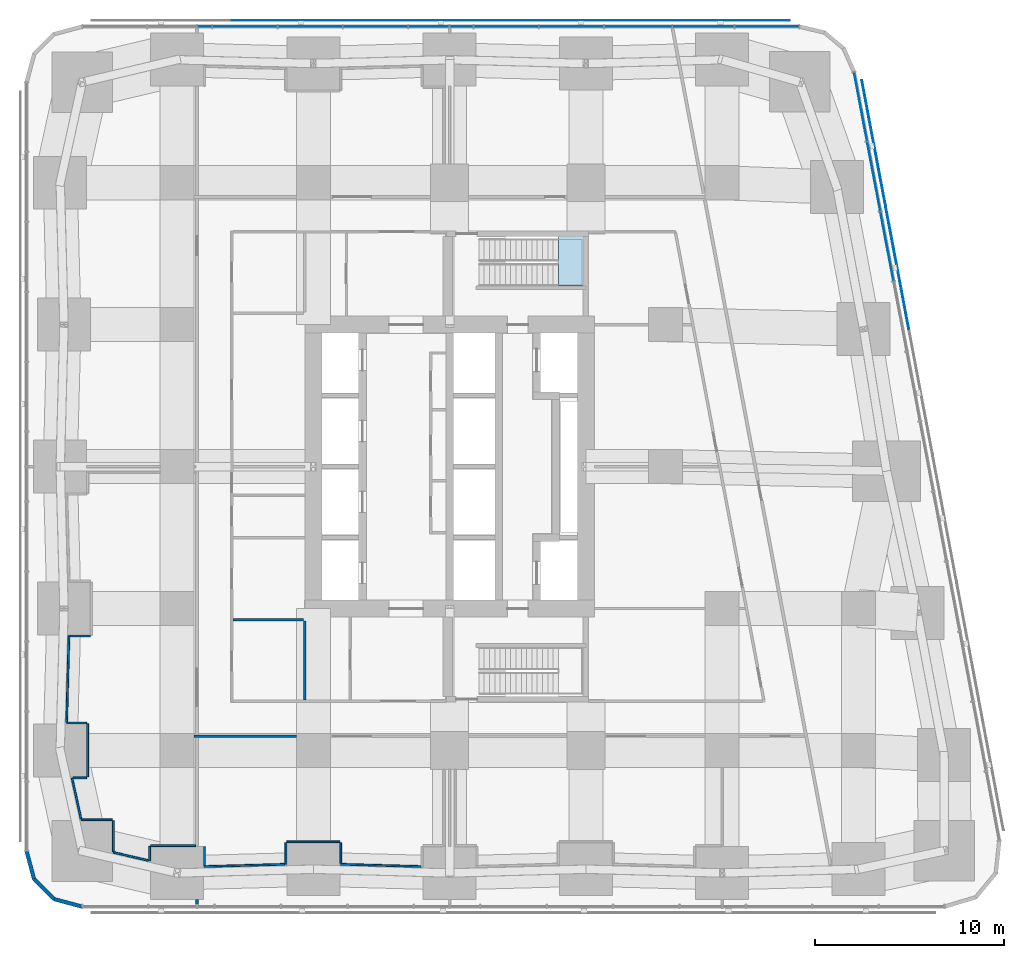
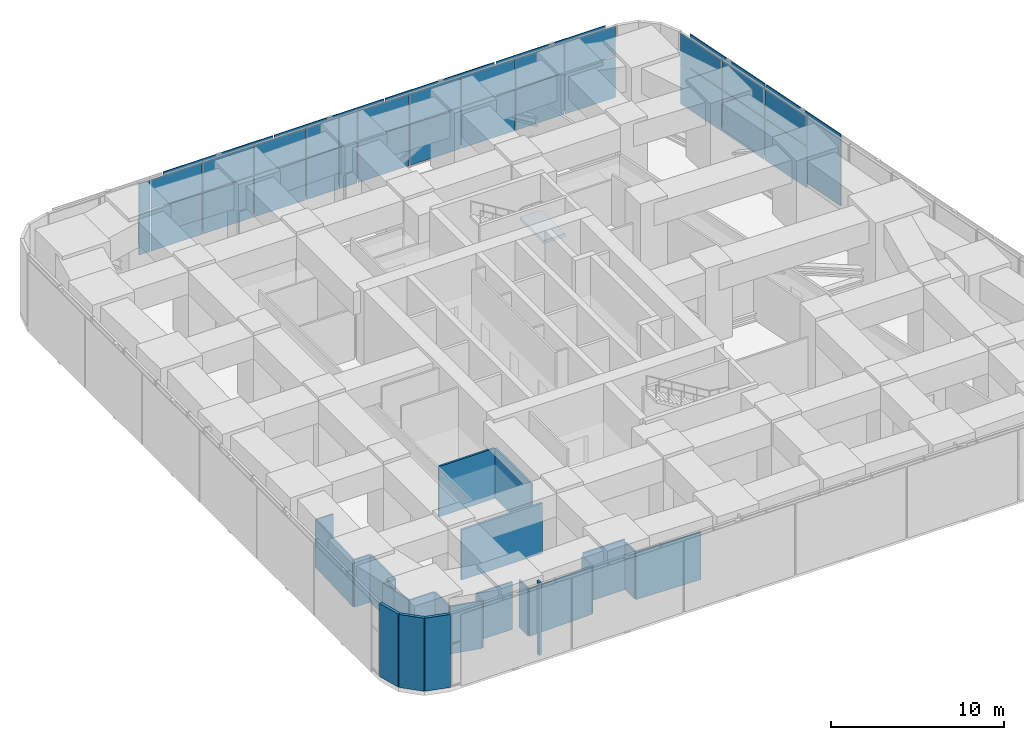
# One storey, part 12 of 20: 34 plates, 24 walls, 1 slab, 3 elements without a shape of their own.
"""IFC4 building model written with IfcOpenShell, lengths in metres."""

from ifc_helpers import new_model, si_unit, direction, frame, frame_2d, origin, origin_2d, place, context, subcontext, project, spatial, polyline, rectangle, outline, extrude, material, layer, layer_set, type_object, element, aggregate, save


model = new_model("IFC4")

# Units and contexts
model_context = context("Model", 3, precision=1e-05, world=origin(), true_north=direction((0.0, 1.0)))
body_context = subcontext(model_context, "Body", "Model", "MODEL_VIEW")
ifc_project = project(units=[si_unit("LENGTHUNIT", "METRE"), si_unit("AREAUNIT", "SQUARE_METRE"), si_unit("VOLUMEUNIT", "CUBIC_METRE"), si_unit("PLANEANGLEUNIT", "RADIAN"), si_unit("MASSUNIT", "GRAM", prefix="KILO")], contexts=[model_context])

# Site, building, storey
site_placement = place(None, origin())
site = spatial("IfcSite", under=ifc_project, at=site_placement, CompositionType="ELEMENT")
building_placement = place(site_placement, origin())
building = spatial("IfcBuilding", under=site, at=building_placement, Name="Sheger Commons Tower", CompositionType="ELEMENT")
storey_placement = place(building_placement, frame((0.0, 0.0, 72.5)))
storey = spatial("IfcBuildingStorey", under=building, at=storey_placement, Name="L18", CompositionType="ELEMENT", Elevation=72.5)

# Curtain wall, plates
ifc_material_1 = material(Name="Black aluminium curtain wall, dark tinted glazing", Category="aluminium")
curtain_wall_type = type_object("IfcCurtainWallType", Name="CURTAIN WALL CW3 SKY FLOOR", PredefinedType="USERDEFINED", material=ifc_material_1)
curtain_wall_1_placement = place(storey_placement, origin())
curtain_wall_1 = element("IfcCurtainWall", 1, at=curtain_wall_1_placement, inside=storey, type_object=curtain_wall_type, Name="Curtain Wall Cw3 Sky Floor E1 L18", ObjectType="UNITISED CURTAIN WALL", PredefinedType="USERDEFINED")
ifc_material_2 = material(Name="Dark tinted double glazing", Category="glass")
ifc_layer_1 = layer(ifc_material_2, 0.031982421875)
ifc_layer_set_1 = layer_set([ifc_layer_1], Name="GLAZED PANEL 32")
plate_type_1 = type_object("IfcPlateType", Name="GLAZED PANEL 32", PredefinedType="CURTAIN_PANEL", material=ifc_layer_set_1)
plate_1_placement = place(storey_placement, frame((44.716064453125, 34.1328125, 0.06494140625), z_axis=(0.0, 0.0, 1.0), x_axis=(-0.185609884918, 0.982623514181, 0.0)))
plate_1 = element("IfcPlate", 2, at=plate_1_placement, type_object=plate_type_1, Name="CW3 panel 9.1", PredefinedType="CURTAIN_PANEL", context=body_context, shape_type="SweptSolid", body=[
    extrude(rectangle(XDim=3.697998046875, YDim=0.031982421875, at=origin_2d()), origin(), (0.0, 0.0, 1.0), 2.902587890625),
])
plate_2_placement = place(storey_placement, frame((44.716064453125, 34.1328125, 3.03271484375), z_axis=(0.0, 0.0, 1.0), x_axis=(-0.185609884918, 0.982623514181, 0.0)))
plate_2 = element("IfcPlate", 3, at=plate_2_placement, type_object=plate_type_1, Name="CW3 panel 9.2", PredefinedType="CURTAIN_PANEL", context=body_context, shape_type="SweptSolid", body=[
    extrude(rectangle(XDim=3.697998046875, YDim=0.031982421875, at=origin_2d()), origin(), (0.0, 0.0, 1.0), 2.052490234375),
])
plate_3_placement = place(storey_placement, frame((44.017578125, 37.83056640625, 0.06494140625), z_axis=(0.0, 0.0, 1.0), x_axis=(-0.185609884918, 0.982623514181, 0.0)))
plate_3 = element("IfcPlate", 4, at=plate_3_placement, type_object=plate_type_1, Name="CW3 panel 10.1", PredefinedType="CURTAIN_PANEL", context=body_context, shape_type="SweptSolid", body=[
    extrude(rectangle(XDim=3.697998046875, YDim=0.031982421875, at=origin_2d()), origin(), (0.0, 0.0, 1.0), 2.902587890625),
])
plate_4_placement = place(storey_placement, frame((44.017578125, 37.83056640625, 3.03271484375), z_axis=(0.0, 0.0, 1.0), x_axis=(-0.185609884918, 0.982623514181, 0.0)))
plate_4 = element("IfcPlate", 5, at=plate_4_placement, type_object=plate_type_1, Name="CW3 panel 10.2", PredefinedType="CURTAIN_PANEL", context=body_context, shape_type="SweptSolid", body=[
    extrude(rectangle(XDim=3.697998046875, YDim=0.031982421875, at=origin_2d()), origin(), (0.0, 0.0, 1.0), 2.052490234375),
])
plate_5_placement = place(storey_placement, frame((43.322265625, 41.51220703125, 0.06494140625), z_axis=(0.0, 0.0, 1.0), x_axis=(-0.185609884918, 0.982623514181, 0.0)))
plate_5 = element("IfcPlate", 6, at=plate_5_placement, type_object=plate_type_1, Name="CW3 panel 11.1", PredefinedType="CURTAIN_PANEL", context=body_context, shape_type="SweptSolid", body=[
    extrude(rectangle(XDim=3.66552734375, YDim=0.031982421875, at=origin_2d()), origin(), (0.0, 0.0, 1.0), 2.902587890625),
])
plate_6_placement = place(storey_placement, frame((43.322265625, 41.51220703125, 3.03271484375), z_axis=(0.0, 0.0, 1.0), x_axis=(-0.185609884918, 0.982623514181, 0.0)))
plate_6 = element("IfcPlate", 7, at=plate_6_placement, type_object=plate_type_1, Name="CW3 panel 11.2", PredefinedType="CURTAIN_PANEL", context=body_context, shape_type="SweptSolid", body=[
    extrude(rectangle(XDim=3.66552734375, YDim=0.031982421875, at=origin_2d()), origin(), (0.0, 0.0, 1.0), 2.052490234375),
])
aggregate(curtain_wall_1, [plate_1, plate_2, plate_3, plate_4, plate_5, plate_6])

curtain_wall_2_placement = place(storey_placement, origin())
curtain_wall_2 = element("IfcCurtainWall", 8, at=curtain_wall_2_placement, inside=storey, type_object=curtain_wall_type, Name="Curtain Wall Cw3 Sky Floor N1 L18", ObjectType="UNITISED CURTAIN WALL", PredefinedType="USERDEFINED")
plate_7_placement = place(storey_placement, frame((38.365234375, 45.75, 0.06494140625), z_axis=(0.0, 0.0, 1.0), x_axis=(-1.0, 0.0, 0.0)))
plate_7 = element("IfcPlate", 9, at=plate_7_placement, type_object=plate_type_1, Name="CW3 panel 1.1", PredefinedType="CURTAIN_PANEL", context=body_context, shape_type="SweptSolid", body=[
    extrude(rectangle(XDim=3.3515625, YDim=0.031982421875, at=origin_2d()), origin(), (0.0, 0.0, 1.0), 2.902587890625),
])
plate_8_placement = place(storey_placement, frame((38.365234375, 45.75, 3.03271484375), z_axis=(0.0, 0.0, 1.0), x_axis=(-1.0, 0.0, 0.0)))
plate_8 = element("IfcPlate", 10, at=plate_8_placement, type_object=plate_type_1, Name="CW3 panel 1.2", PredefinedType="CURTAIN_PANEL", context=body_context, shape_type="SweptSolid", body=[
    extrude(rectangle(XDim=3.3515625, YDim=0.031982421875, at=origin_2d()), origin(), (0.0, 0.0, 1.0), 2.052490234375),
])
plate_9_placement = place(storey_placement, frame((35.010009765625, 45.75, 0.06494140625), z_axis=(0.0, 0.0, 1.0), x_axis=(-1.0, 0.0, 0.0)))
plate_9 = element("IfcPlate", 11, at=plate_9_placement, type_object=plate_type_1, Name="CW3 panel 2.1", PredefinedType="CURTAIN_PANEL", context=body_context, shape_type="SweptSolid", body=[
    extrude(rectangle(XDim=3.22900390625, YDim=0.031982421875, at=origin_2d()), origin(), (0.0, 0.0, 1.0), 2.902587890625),
])
plate_10_placement = place(storey_placement, frame((35.010009765625, 45.75, 3.03271484375), z_axis=(0.0, 0.0, 1.0), x_axis=(-1.0, 0.0, 0.0)))
plate_10 = element("IfcPlate", 12, at=plate_10_placement, type_object=plate_type_1, Name="CW3 panel 2.2", PredefinedType="CURTAIN_PANEL", context=body_context, shape_type="SweptSolid", body=[
    extrude(rectangle(XDim=3.22900390625, YDim=0.031982421875, at=origin_2d()), origin(), (0.0, 0.0, 1.0), 2.052490234375),
])
plate_11_placement = place(storey_placement, frame((31.560546875, 45.75, 0.06494140625), z_axis=(0.0, 0.0, 1.0), x_axis=(-1.0, 0.0, 0.0)))
plate_11 = element("IfcPlate", 13, at=plate_11_placement, type_object=plate_type_1, Name="CW3 panel 3.1", PredefinedType="CURTAIN_PANEL", context=body_context, shape_type="SweptSolid", body=[
    extrude(rectangle(XDim=3.5400390625, YDim=0.031982421875, at=origin_2d()), origin(), (0.0, 0.0, 1.0), 2.902587890625),
])
plate_12_placement = place(storey_placement, frame((31.560546875, 45.75, 3.03271484375), z_axis=(0.0, 0.0, 1.0), x_axis=(-1.0, 0.0, 0.0)))
plate_12 = element("IfcPlate", 14, at=plate_12_placement, type_object=plate_type_1, Name="CW3 panel 3.2", PredefinedType="CURTAIN_PANEL", context=body_context, shape_type="SweptSolid", body=[
    extrude(rectangle(XDim=3.5400390625, YDim=0.031982421875, at=origin_2d()), origin(), (0.0, 0.0, 1.0), 2.052490234375),
])
plate_13_placement = place(storey_placement, frame((28.033447265625, 45.75, 0.06494140625), z_axis=(0.0, 0.0, 1.0), x_axis=(-1.0, 0.0, 0.0)))
plate_13 = element("IfcPlate", 15, at=plate_13_placement, type_object=plate_type_1, Name="CW3 panel 4.1", PredefinedType="CURTAIN_PANEL", context=body_context, shape_type="SweptSolid", body=[
    extrude(rectangle(XDim=3.384033203125, YDim=0.031982421875, at=origin_2d()), origin(), (0.0, 0.0, 1.0), 2.902587890625),
])
plate_14_placement = place(storey_placement, frame((28.033447265625, 45.75, 3.03271484375), z_axis=(0.0, 0.0, 1.0), x_axis=(-1.0, 0.0, 0.0)))
plate_14 = element("IfcPlate", 16, at=plate_14_placement, type_object=plate_type_1, Name="CW3 panel 4.2", PredefinedType="CURTAIN_PANEL", context=body_context, shape_type="SweptSolid", body=[
    extrude(rectangle(XDim=3.384033203125, YDim=0.031982421875, at=origin_2d()), origin(), (0.0, 0.0, 1.0), 2.052490234375),
])
plate_15_placement = place(storey_placement, frame((24.583984375, 45.75, 0.06494140625), z_axis=(0.0, 0.0, 1.0), x_axis=(-1.0, 0.0, 0.0)))
plate_15 = element("IfcPlate", 17, at=plate_15_placement, type_object=plate_type_1, Name="CW3 panel 5.1", PredefinedType="CURTAIN_PANEL", context=body_context, shape_type="SweptSolid", body=[
    extrude(rectangle(XDim=3.385009765625, YDim=0.031982421875, at=origin_2d()), origin(), (0.0, 0.0, 1.0), 2.902587890625),
])
plate_16_placement = place(storey_placement, frame((24.583984375, 45.75, 3.03271484375), z_axis=(0.0, 0.0, 1.0), x_axis=(-1.0, 0.0, 0.0)))
plate_16 = element("IfcPlate", 18, at=plate_16_placement, type_object=plate_type_1, Name="CW3 panel 5.2", PredefinedType="CURTAIN_PANEL", context=body_context, shape_type="SweptSolid", body=[
    extrude(rectangle(XDim=3.385009765625, YDim=0.031982421875, at=origin_2d()), origin(), (0.0, 0.0, 1.0), 2.052490234375),
])
plate_17_placement = place(storey_placement, frame((22.2294921875, 45.75, 0.06494140625), z_axis=(0.0, 0.0, 1.0), x_axis=(-1.0, 0.0, 0.0)))
plate_17 = element("IfcPlate", 19, at=plate_17_placement, type_object=plate_type_1, Name="CW3 panel 6.1", PredefinedType="CURTAIN_PANEL", context=body_context, shape_type="SweptSolid", body=[
    extrude(rectangle(XDim=1.194091796875, YDim=0.031982421875, at=origin_2d()), origin(), (0.0, 0.0, 1.0), 2.902587890625),
])
plate_18_placement = place(storey_placement, frame((22.2294921875, 45.75, 3.03271484375), z_axis=(0.0, 0.0, 1.0), x_axis=(-1.0, 0.0, 0.0)))
plate_18 = element("IfcPlate", 20, at=plate_18_placement, type_object=plate_type_1, Name="CW3 panel 6.2", PredefinedType="CURTAIN_PANEL", context=body_context, shape_type="SweptSolid", body=[
    extrude(rectangle(XDim=1.194091796875, YDim=0.031982421875, at=origin_2d()), origin(), (0.0, 0.0, 1.0), 2.052490234375),
])
plate_19_placement = place(storey_placement, frame((20.5048828125, 45.75, 0.06494140625), z_axis=(0.0, 0.0, 1.0), x_axis=(-1.0, 0.0, 0.0)))
plate_19 = element("IfcPlate", 21, at=plate_19_placement, type_object=plate_type_1, Name="CW3 panel 7.1", PredefinedType="CURTAIN_PANEL", context=body_context, shape_type="SweptSolid", body=[
    extrude(rectangle(XDim=2.125, YDim=0.031982421875, at=origin_2d()), origin(), (0.0, 0.0, 1.0), 2.902587890625),
])
plate_20_placement = place(storey_placement, frame((20.5048828125, 45.75, 3.03271484375), z_axis=(0.0, 0.0, 1.0), x_axis=(-1.0, 0.0, 0.0)))
plate_20 = element("IfcPlate", 22, at=plate_20_placement, type_object=plate_type_1, Name="CW3 panel 7.2", PredefinedType="CURTAIN_PANEL", context=body_context, shape_type="SweptSolid", body=[
    extrude(rectangle(XDim=2.125, YDim=0.031982421875, at=origin_2d()), origin(), (0.0, 0.0, 1.0), 2.052490234375),
])
plate_21_placement = place(storey_placement, frame((17.68505859375, 45.75, 0.06494140625), z_axis=(0.0, 0.0, 1.0), x_axis=(-1.0, 0.0, 0.0)))
plate_21 = element("IfcPlate", 23, at=plate_21_placement, type_object=plate_type_1, Name="CW3 panel 8.1", PredefinedType="CURTAIN_PANEL", context=body_context, shape_type="SweptSolid", body=[
    extrude(rectangle(XDim=3.385009765625, YDim=0.031982421875, at=origin_2d()), origin(), (0.0, 0.0, 1.0), 2.902587890625),
])
plate_22_placement = place(storey_placement, frame((17.68505859375, 45.75, 3.03271484375), z_axis=(0.0, 0.0, 1.0), x_axis=(-1.0, 0.0, 0.0)))
plate_22 = element("IfcPlate", 24, at=plate_22_placement, type_object=plate_type_1, Name="CW3 panel 8.2", PredefinedType="CURTAIN_PANEL", context=body_context, shape_type="SweptSolid", body=[
    extrude(rectangle(XDim=3.385009765625, YDim=0.031982421875, at=origin_2d()), origin(), (0.0, 0.0, 1.0), 2.052490234375),
])
plate_23_placement = place(storey_placement, frame((14.235595703125, 45.75, 0.06494140625), z_axis=(0.0, 0.0, 1.0), x_axis=(-1.0, 0.0, 0.0)))
plate_23 = element("IfcPlate", 25, at=plate_23_placement, type_object=plate_type_1, Name="CW3 panel 9.1", PredefinedType="CURTAIN_PANEL", context=body_context, shape_type="SweptSolid", body=[
    extrude(rectangle(XDim=3.384033203125, YDim=0.031982421875, at=origin_2d()), origin(), (0.0, 0.0, 1.0), 2.902587890625),
])
plate_24_placement = place(storey_placement, frame((14.235595703125, 45.75, 3.03271484375), z_axis=(0.0, 0.0, 1.0), x_axis=(-1.0, 0.0, 0.0)))
plate_24 = element("IfcPlate", 26, at=plate_24_placement, type_object=plate_type_1, Name="CW3 panel 9.2", PredefinedType="CURTAIN_PANEL", context=body_context, shape_type="SweptSolid", body=[
    extrude(rectangle(XDim=3.384033203125, YDim=0.031982421875, at=origin_2d()), origin(), (0.0, 0.0, 1.0), 2.052490234375),
])
plate_25_placement = place(storey_placement, frame((10.78662109375, 45.75, 0.06494140625), z_axis=(0.0, 0.0, 1.0), x_axis=(-1.0, 0.0, 0.0)))
plate_25 = element("IfcPlate", 27, at=plate_25_placement, type_object=plate_type_1, Name="CW3 panel 10.1", PredefinedType="CURTAIN_PANEL", context=body_context, shape_type="SweptSolid", body=[
    extrude(rectangle(XDim=3.384033203125, YDim=0.031982421875, at=origin_2d()), origin(), (0.0, 0.0, 1.0), 2.902587890625),
])
plate_26_placement = place(storey_placement, frame((10.78662109375, 45.75, 3.03271484375), z_axis=(0.0, 0.0, 1.0), x_axis=(-1.0, 0.0, 0.0)))
plate_26 = element("IfcPlate", 28, at=plate_26_placement, type_object=plate_type_1, Name="CW3 panel 10.2", PredefinedType="CURTAIN_PANEL", context=body_context, shape_type="SweptSolid", body=[
    extrude(rectangle(XDim=3.384033203125, YDim=0.031982421875, at=origin_2d()), origin(), (0.0, 0.0, 1.0), 2.052490234375),
])
plate_27_placement = place(storey_placement, frame((8.656005859375, 45.75, 0.06494140625), z_axis=(0.0, 0.0, 1.0), x_axis=(-1.0, 0.0, 0.0)))
plate_27 = element("IfcPlate", 29, at=plate_27_placement, type_object=plate_type_1, Name="CW3 panel 11.1", PredefinedType="CURTAIN_PANEL", context=body_context, shape_type="SweptSolid", body=[
    extrude(rectangle(XDim=0.7470703125, YDim=0.031982421875, at=origin_2d()), origin(), (0.0, 0.0, 1.0), 2.902587890625),
])
plate_28_placement = place(storey_placement, frame((8.656005859375, 45.75, 3.03271484375), z_axis=(0.0, 0.0, 1.0), x_axis=(-1.0, 0.0, 0.0)))
plate_28 = element("IfcPlate", 30, at=plate_28_placement, type_object=plate_type_1, Name="CW3 panel 11.2", PredefinedType="CURTAIN_PANEL", context=body_context, shape_type="SweptSolid", body=[
    extrude(rectangle(XDim=0.7470703125, YDim=0.031982421875, at=origin_2d()), origin(), (0.0, 0.0, 1.0), 2.052490234375),
])
aggregate(curtain_wall_2, [plate_7, plate_8, plate_9, plate_10, plate_11, plate_12, plate_13, plate_14, plate_15, plate_16, plate_17, plate_18, plate_19, plate_20, plate_21, plate_22, plate_23, plate_24, plate_25, plate_26, plate_27, plate_28])

# Plates
ifc_material_3 = material(Name="Perforated black anodised aluminium screen", Category="aluminium")
ifc_layer_2 = layer(ifc_material_3, 0.050048828125)
ifc_layer_set_2 = layer_set([ifc_layer_2], Name="SOLAR SCREEN SCREEN-1")
plate_type_2 = type_object("IfcPlateType", Name="SOLAR SCREEN SCREEN-1", PredefinedType="USERDEFINED", material=ifc_layer_set_2)
for number, where, z_axis, x_axis, name in (
    (31, (45.2548828125, 33.028076171875, 0.0498046875), (0.0, 0.0, 1.0), (-0.185615165645, 0.982622516678, 0.0), "Perforated solar screen panel"),
    (32, (44.0048828125, 39.64794921875, 0.0498046875), (0.0, 0.0, 1.0), (-0.185615165645, 0.982622516678, 0.0), "Perforated solar screen panel"),
):
    element("IfcPlate", number, at=place(storey_placement, frame(where, z_axis=z_axis, x_axis=x_axis)), inside=storey, type_object=plate_type_2, Name=name, ObjectType="SCREEN", PredefinedType="USERDEFINED", context=body_context, shape_type="SweptSolid", body=[
        extrude(rectangle(XDim=6.636962890625, YDim=0.050048828125, at=origin_2d()), origin(), (0.0, 0.0, 1.0), 5.050048828125),
    ])
for number, where, z_axis, x_axis, name in (
    (33, (35.9208984375, 46.074951171875, 0.0498046875), (0.0, 0.0, 1.0), (-1.0, 0.0, 0.0), "Perforated solar screen panel"),
    (34, (28.528076171875, 46.074951171875, 0.0498046875), (0.0, 0.0, 1.0), (-1.0, 0.0, 0.0), "Perforated solar screen panel"),
    (35, (21.134033203125, 46.074951171875, 0.0498046875), (0.0, 0.0, 1.0), (-1.0, 0.0, 0.0), "Perforated solar screen panel"),
    (36, (13.739990234375, 46.074951171875, 0.0498046875), (0.0, 0.0, 1.0), (-1.0, 0.0, 0.0), "Perforated solar screen panel"),
):
    element("IfcPlate", number, at=place(storey_placement, frame(where, z_axis=z_axis, x_axis=x_axis)), inside=storey, type_object=plate_type_2, Name=name, ObjectType="SCREEN", PredefinedType="USERDEFINED", context=body_context, shape_type="SweptSolid", body=[
        extrude(rectangle(XDim=7.2939453125, YDim=0.050048828125, at=origin_2d()), origin(), (0.0, 0.0, 1.0), 5.050048828125),
    ])

# Stair, slab
ifc_material_4 = material(Name="Concrete C35/45", Category="concrete")
stair_type = type_object("IfcStairType", Name="HALF-TURN STAIR 1200 RISE 5400", PredefinedType="HALF_TURN_STAIR", material=ifc_material_4)
stair_placement = place(storey_placement, origin())
stair = element("IfcStair", 37, at=stair_placement, inside=storey, type_object=stair_type, Name="Stair S2 L18", PredefinedType="HALF_TURN_STAIR")
ifc_material_5 = material(Name="Concrete C35/45", Category="concrete")
ifc_layer_3 = layer(ifc_material_5, 0.199951171875)
ifc_layer_set_3 = layer_set([ifc_layer_3], Name="STAIR LANDING 200")
slab_type = type_object("IfcSlabType", Name="STAIR LANDING 200", PredefinedType="LANDING", material=ifc_layer_set_3)
slab_placement = place(storey_placement, frame((0.0, 0.0, 2.5)))
slab = element("IfcSlab", 38, at=slab_placement, type_object=slab_type, Name="S2 landing 1", PredefinedType="LANDING", context=body_context, shape_type="SweptSolid", body=[
    extrude(outline(polyline([(27.35009765625, 32.050048828125), (28.800048828125, 32.050048828125), (28.800048828125, 34.800048828125), (27.35009765625, 34.800048828125), (27.35009765625, 32.050048828125)])), origin(), (0.0, 0.0, 1.0), 0.199951171875),
])
aggregate(stair, [slab])

# Walls
ifc_material_6 = material(Name="Hollow concrete block masonry, skimmed both sides", Category="masonry")
ifc_layer_4 = layer(ifc_material_6, 0.14990234375)
ifc_layer_set_4 = layer_set([ifc_layer_4], Name="CORRIDOR WALL 150")
wall_type_1 = type_object("IfcWallType", Name="CORRIDOR WALL 150", PredefinedType="SOLIDWALL", material=ifc_layer_set_4)
wall_1_placement = place(storey_placement, frame((8.25, -0.636962890625, 0.0), z_axis=(0.0, 0.0, 1.0), x_axis=(0.0, 1.0, 0.0)))
element("IfcWall", 39, at=wall_1_placement, inside=storey, type_object=wall_type_1, Name="Corridor wall L18", PredefinedType="SOLIDWALL", context=body_context, shape_type="SweptSolid", body=[
    extrude(rectangle(XDim=0.260986328125, YDim=0.14990234375, at=frame_2d((0.13037109375, 0.0))), origin(), (0.0, 0.0, 1.0), 5.14990234375),
])
wall_2_placement = place(storey_placement, frame((13.4990234375, 8.25, 0.0), z_axis=(0.0, 0.0, 1.0), x_axis=(-1.0, 0.0, 0.0)))
element("IfcWall", 40, at=wall_2_placement, inside=storey, type_object=wall_type_1, Name="Corridor wall L18", PredefinedType="SOLIDWALL", context=body_context, shape_type="SweptSolid", body=[
    extrude(rectangle(XDim=5.39892578125, YDim=0.14990234375, at=frame_2d((2.699462890625, 0.0))), origin(), (0.0, 0.0, 1.0), 3.550048828125),
])
ifc_material_7 = material(Name="Rendered concrete block masonry, dark grey", Category="masonry")
ifc_layer_5 = layer(ifc_material_7, 0.199951171875)
ifc_layer_set_5 = layer_set([ifc_layer_5], Name="FACADE WALL 200")
wall_type_2 = type_object("IfcWallType", Name="FACADE WALL 200", PredefinedType="SOLIDWALL", material=ifc_layer_set_5)
wall_3_placement = place(storey_placement, frame((-0.75, 2.1630859375, 0.0), z_axis=(0.0, 0.0, 1.0), x_axis=(0.259168954497, -0.965832000415, 0.0)))
element("IfcWall", 41, at=wall_3_placement, inside=storey, type_object=wall_type_2, Name="Facade wall L18", PredefinedType="SOLIDWALL", context=body_context, shape_type="SweptSolid", body=[
    extrude(rectangle(XDim=1.512939453125, YDim=0.199951171875, at=frame_2d((0.75634765625, 0.0))), origin(), (0.0, 0.0, 1.0), 5.14990234375),
])
wall_4_placement = place(storey_placement, frame((-0.35791015625, 0.701904296875, 0.0), z_axis=(0.0, 0.0, 1.0), x_axis=(0.707106781187, -0.707106781187, 0.0)))
element("IfcWall", 42, at=wall_4_placement, inside=storey, type_object=wall_type_2, Name="Facade wall L18", PredefinedType="SOLIDWALL", context=body_context, shape_type="SweptSolid", body=[
    extrude(rectangle(XDim=1.498779296875, YDim=0.199951171875, at=frame_2d((0.74951171875, 0.0))), origin(), (0.0, 0.0, 1.0), 5.14990234375),
])
wall_5_placement = place(storey_placement, frame((0.701904296875, -0.35791015625, 0.0), z_axis=(0.0, 0.0, 1.0), x_axis=(0.965832000415, -0.259168954497, 0.0)))
element("IfcWall", 43, at=wall_5_placement, inside=storey, type_object=wall_type_2, Name="Facade wall L18", PredefinedType="SOLIDWALL", context=body_context, shape_type="SweptSolid", body=[
    extrude(rectangle(XDim=1.512939453125, YDim=0.199951171875, at=frame_2d((0.75634765625, 0.0))), origin(), (0.0, 0.0, 1.0), 5.14990234375),
])
ifc_material_8 = material(Name="Gypsum board on steel studs", Category="steel")
ifc_layer_6 = layer(ifc_material_8, 0.10009765625)
ifc_layer_set_6 = layer_set([ifc_layer_6], Name="PARTITION 100")
wall_type_3 = type_object("IfcWallType", Name="PARTITION 100", PredefinedType="PARTITIONING", material=ifc_layer_set_6)
wall_6_placement = place(storey_placement, frame((20.09912109375, 1.365966796875, 0.0), z_axis=(0.0, 0.0, 1.0), x_axis=(-0.999607123995, 0.028028515083, 0.0)))
element("IfcWall", 44, at=wall_6_placement, inside=storey, type_object=wall_type_3, Name="Partition L18", PredefinedType="PARTITIONING", context=body_context, shape_type="SweptSolid", body=[
    extrude(rectangle(XDim=4.250732421875, YDim=0.10009765625, at=frame_2d((2.12548828125, 0.0))), origin(), (0.0, 0.0, 1.0), 3.35009765625),
])
wall_7_placement = place(storey_placement, frame((15.85009765625, 1.534912109375, 0.0), z_axis=(0.0, 0.0, 1.0), x_axis=(0.0, 1.0, 0.0)))
element("IfcWall", 45, at=wall_7_placement, inside=storey, type_object=wall_type_3, Name="Partition L18", PredefinedType="PARTITIONING", context=body_context, shape_type="SweptSolid", body=[
    extrude(rectangle(XDim=1.090087890625, YDim=0.10009765625, at=frame_2d((0.544921875, 0.0))), origin(), (0.0, 0.0, 1.0), 3.35009765625),
])
wall_8_placement = place(storey_placement, frame((15.800048828125, 2.675048828125, 0.0), z_axis=(0.0, 0.0, 1.0), x_axis=(-1.0, 0.0, 0.0)))
element("IfcWall", 46, at=wall_8_placement, inside=storey, type_object=wall_type_3, Name="Partition L18", PredefinedType="PARTITIONING", context=body_context, shape_type="SweptSolid", body=[
    extrude(rectangle(XDim=2.800048828125, YDim=0.10009765625, at=frame_2d((1.39990234375, 0.0))), origin(), (0.0, 0.0, 1.0), 3.550048828125),
])
wall_9_placement = place(storey_placement, frame((12.949951171875, 2.625, 0.0), z_axis=(0.0, 0.0, 1.0), x_axis=(0.0, -1.0, 0.0)))
element("IfcWall", 47, at=wall_9_placement, inside=storey, type_object=wall_type_3, Name="Partition L18", PredefinedType="PARTITIONING", context=body_context, shape_type="SweptSolid", body=[
    extrude(rectangle(XDim=1.139892578125, YDim=0.10009765625, at=frame_2d((0.56982421875, 0.0))), origin(), (0.0, 0.0, 1.0), 3.35009765625),
])
wall_10_placement = place(storey_placement, frame((12.89990234375, 1.48388671875, 0.0), z_axis=(0.0, 0.0, 1.0), x_axis=(-0.999608911234, -0.027964702423, 0.0)))
element("IfcWall", 48, at=wall_10_placement, inside=storey, type_object=wall_type_3, Name="Partition L18", PredefinedType="PARTITIONING", context=body_context, shape_type="SweptSolid", body=[
    extrude(rectangle(XDim=4.251708984375, YDim=0.10009765625, at=frame_2d((2.1259765625, 0.0))), origin(), (0.0, 0.0, 1.0), 3.35009765625),
])
wall_11_placement = place(storey_placement, frame((8.64990234375, 1.416015625, 0.0), z_axis=(0.0, 0.0, 1.0), x_axis=(0.0, 1.0, 0.0)))
element("IfcWall", 49, at=wall_11_placement, inside=storey, type_object=wall_type_3, Name="Partition L18", PredefinedType="PARTITIONING", context=body_context, shape_type="SweptSolid", body=[
    extrude(rectangle(XDim=1.009033203125, YDim=0.10009765625, at=frame_2d((0.50439453125, 0.0))), origin(), (0.0, 0.0, 1.0), 3.35009765625),
])
wall_12_placement = place(storey_placement, frame((8.175048828125, 2.47509765625, 0.0), z_axis=(0.0, 0.0, 1.0), x_axis=(-1.0, 0.0, 0.0)))
element("IfcWall", 50, at=wall_12_placement, inside=storey, type_object=wall_type_3, Name="Partition L18", PredefinedType="PARTITIONING", context=body_context, shape_type="SweptSolid", body=[
    extrude(rectangle(XDim=2.375, YDim=0.10009765625, at=frame_2d((1.1875, 0.0))), origin(), (0.0, 0.0, 1.0), 3.35009765625),
])
wall_13_placement = place(storey_placement, frame((5.75, 2.425048828125, 0.0), z_axis=(0.0, 0.0, 1.0), x_axis=(0.0, -1.0, 0.0)))
element("IfcWall", 51, at=wall_13_placement, inside=storey, type_object=wall_type_3, Name="Partition L18", PredefinedType="PARTITIONING", context=body_context, shape_type="SweptSolid", body=[
    extrude(rectangle(XDim=0.756103515625, YDim=0.10009765625, at=frame_2d((0.3779296875, 0.0))), origin(), (0.0, 0.0, 1.0), 3.35009765625),
])
wall_14_placement = place(storey_placement, frame((5.68896484375, 1.68310546875, 0.0), z_axis=(0.0, 0.0, 1.0), x_axis=(-0.974237371414, 0.225525041051, 0.0)))
element("IfcWall", 52, at=wall_14_placement, inside=storey, type_object=wall_type_3, Name="Partition L18", PredefinedType="PARTITIONING", context=body_context, shape_type="SweptSolid", body=[
    extrude(rectangle(XDim=1.902099609375, YDim=0.10009765625, at=frame_2d((0.951171875, 0.0))), origin(), (0.0, 0.0, 1.0), 3.35009765625),
])
wall_15_placement = place(storey_placement, frame((3.8359375, 2.160888671875, 0.0), z_axis=(0.0, 0.0, 1.0), x_axis=(0.0, 1.0, 0.0)))
element("IfcWall", 53, at=wall_15_placement, inside=storey, type_object=wall_type_3, Name="Partition L18", PredefinedType="PARTITIONING", context=body_context, shape_type="SweptSolid", body=[
    extrude(rectangle(XDim=1.625, YDim=0.10009765625, at=frame_2d((0.8125, 0.0))), origin(), (0.0, 0.0, 1.0), 3.35009765625),
])
wall_16_placement = place(storey_placement, frame((3.785888671875, 3.8359375, 0.0), z_axis=(0.0, 0.0, 1.0), x_axis=(-1.0, 0.0, 0.0)))
element("IfcWall", 54, at=wall_16_placement, inside=storey, type_object=wall_type_3, Name="Partition L18", PredefinedType="PARTITIONING", context=body_context, shape_type="SweptSolid", body=[
    extrude(rectangle(XDim=1.65283203125, YDim=0.10009765625, at=frame_2d((0.826416015625, 0.0))), origin(), (0.0, 0.0, 1.0), 3.35009765625),
])
wall_17_placement = place(storey_placement, frame((2.123046875, 3.884033203125, 0.0), z_axis=(0.0, 0.0, 1.0), x_axis=(-0.213828225657, 0.97687127602, 0.0)))
element("IfcWall", 55, at=wall_17_placement, inside=storey, type_object=wall_type_3, Name="Partition L18", PredefinedType="PARTITIONING", context=body_context, shape_type="SweptSolid", body=[
    extrude(rectangle(XDim=2.21728515625, YDim=0.10009765625, at=frame_2d((1.108642578125, 0.0))), origin(), (0.0, 0.0, 1.0), 3.35009765625),
])
wall_18_placement = place(storey_placement, frame((1.7109375, 6.050048828125, 0.0), z_axis=(0.0, 0.0, 1.0), x_axis=(1.0, 0.0, 0.0)))
element("IfcWall", 56, at=wall_18_placement, inside=storey, type_object=wall_type_3, Name="Partition L18", PredefinedType="PARTITIONING", context=body_context, shape_type="SweptSolid", body=[
    extrude(rectangle(XDim=0.714111328125, YDim=0.10009765625, at=frame_2d((0.35693359375, 0.0))), origin(), (0.0, 0.0, 1.0), 3.35009765625),
])
wall_19_placement = place(storey_placement, frame((2.47509765625, 6.10009765625, 0.0), z_axis=(0.0, 0.0, 1.0), x_axis=(0.0, 1.0, 0.0)))
element("IfcWall", 57, at=wall_19_placement, inside=storey, type_object=wall_type_3, Name="Partition L18", PredefinedType="PARTITIONING", context=body_context, shape_type="SweptSolid", body=[
    extrude(rectangle(XDim=2.7998046875, YDim=0.10009765625, at=frame_2d((1.39990234375, 0.0))), origin(), (0.0, 0.0, 1.0), 3.35009765625),
])
wall_20_placement = place(storey_placement, frame((2.425048828125, 8.949951171875, 0.0), z_axis=(0.0, 0.0, 1.0), x_axis=(-1.0, 0.0, 0.0)))
element("IfcWall", 58, at=wall_20_placement, inside=storey, type_object=wall_type_3, Name="Partition L18", PredefinedType="PARTITIONING", context=body_context, shape_type="SweptSolid", body=[
    extrude(rectangle(XDim=1.06103515625, YDim=0.10009765625, at=frame_2d((0.530517578125, 0.0))), origin(), (0.0, 0.0, 1.0), 3.35009765625),
])
wall_21_placement = place(storey_placement, frame((1.364990234375, 9.0009765625, 0.0), z_axis=(0.0, 0.0, 1.0), x_axis=(0.026610012446, 0.999645890922, 0.0)))
element("IfcWall", 59, at=wall_21_placement, inside=storey, type_object=wall_type_3, Name="Partition L18", PredefinedType="PARTITIONING", context=body_context, shape_type="SweptSolid", body=[
    extrude(rectangle(XDim=4.55078125, YDim=0.10009765625, at=frame_2d((2.275390625, 0.0))), origin(), (0.0, 0.0, 1.0), 3.35009765625),
])
wall_22_placement = place(storey_placement, frame((1.535888671875, 13.550048828125, 0.0), z_axis=(0.0, 0.0, 1.0), x_axis=(1.0, 0.0, 0.0)))
element("IfcWall", 60, at=wall_22_placement, inside=storey, type_object=wall_type_3, Name="Partition L18", PredefinedType="PARTITIONING", context=body_context, shape_type="SweptSolid", body=[
    extrude(rectangle(XDim=1.089111328125, YDim=0.10009765625, at=frame_2d((0.54443359375, 0.0))), origin(), (0.0, 0.0, 1.0), 3.35009765625),
])
ifc_material_9 = material(Name="Gypsum board on steel studs, two layers each side, fire rated", Category="steel")
ifc_layer_7 = layer(ifc_material_9, 0.125)
ifc_layer_set_7 = layer_set([ifc_layer_7], Name="SERVICE WALL 125")
wall_type_4 = type_object("IfcWallType", Name="SERVICE WALL 125", PredefinedType="PARTITIONING", material=ifc_layer_set_7)
wall_23_placement = place(storey_placement, frame((10.1630859375, 14.39990234375, 0.0), z_axis=(0.0, 0.0, 1.0), x_axis=(1.0, 0.0, 0.0)))
element("IfcWall", 61, at=wall_23_placement, inside=storey, type_object=wall_type_4, Name="Service room wall L18", PredefinedType="PARTITIONING", context=body_context, shape_type="SweptSolid", body=[
    extrude(rectangle(XDim=3.724853515625, YDim=0.125, at=frame_2d((1.8623046875, 0.0))), origin(), (0.0, 0.0, 1.0), 3.550048828125),
])
wall_24_placement = place(storey_placement, frame((13.949951171875, 10.1630859375, 0.0), z_axis=(0.0, 0.0, 1.0), x_axis=(0.0, 1.0, 0.0)))
element("IfcWall", 62, at=wall_24_placement, inside=storey, type_object=wall_type_4, Name="Service room wall L18", PredefinedType="PARTITIONING", context=body_context, shape_type="SweptSolid", body=[
    extrude(rectangle(XDim=4.1748046875, YDim=0.125, at=frame_2d((2.08740234375, 0.0))), origin(), (0.0, 0.0, 1.0), 3.550048828125),
])

save(model, "model.ifc")
